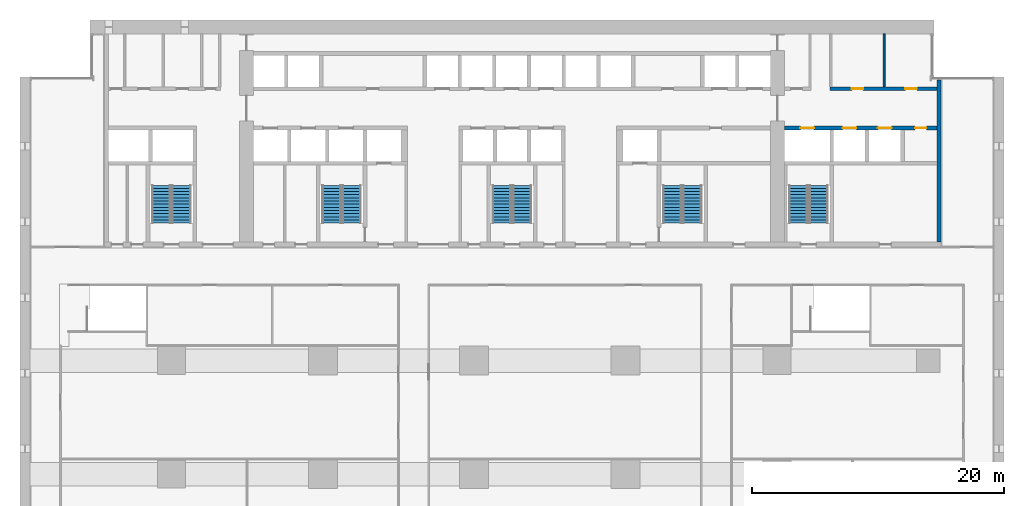
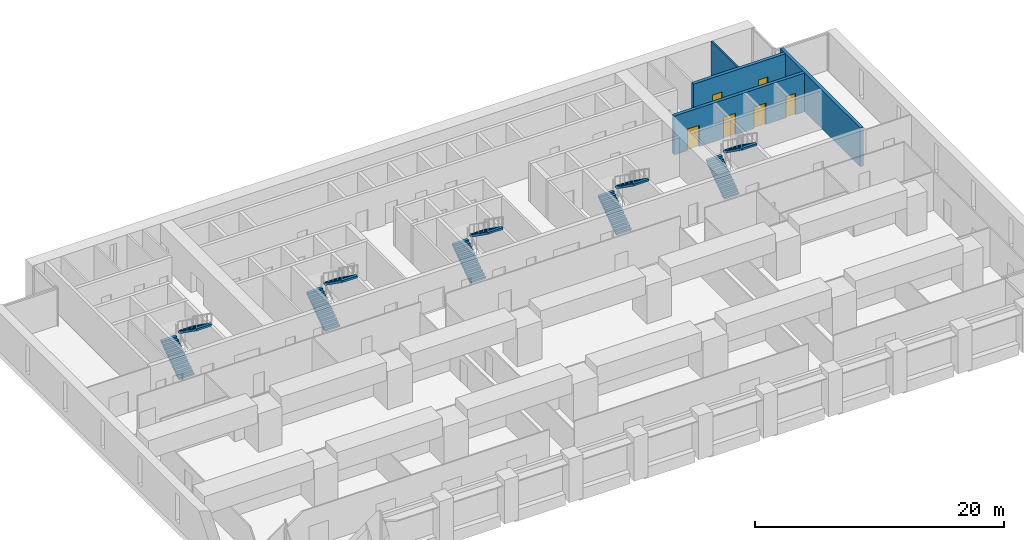
# One storey, part 13 of 17: 10 stair flights, 6 doors, 4 walls, 6 openings, 5 elements without a shape of their own.
"""IFC4 building model written with IfcOpenShell, lengths in metres."""

from ifc_helpers import new_model, si_unit, direction, frame, frame_2d, origin, place, context, subcontext, project, spatial, polyline, rectangle, outline, extrude, material, layer, layer_set, type_object, element, fill, aggregate, save


model = new_model("IFC4")

# Units and contexts
model_context = context("Model", 3, precision=1e-05, world=origin(), true_north=direction((0.0, 1.0)))
body_context = subcontext(model_context, "Body", "Model", "MODEL_VIEW")
ifc_project = project(units=[si_unit("LENGTHUNIT", "METRE"), si_unit("AREAUNIT", "SQUARE_METRE"), si_unit("VOLUMEUNIT", "CUBIC_METRE"), si_unit("PLANEANGLEUNIT", "RADIAN"), si_unit("MASSUNIT", "GRAM", prefix="KILO")], contexts=[model_context])

# Site, building, storey
site_placement = place(None, origin())
site = spatial("IfcSite", under=ifc_project, at=site_placement, CompositionType="ELEMENT")
building_placement = place(site_placement, origin())
building = spatial("IfcBuilding", under=site, at=building_placement, Name="Calvaro Tower", CompositionType="ELEMENT")
storey_placement = place(building_placement, frame((0.0, 0.0, 17.89990234375)))
storey = spatial("IfcBuildingStorey", under=building, at=storey_placement, Name="L03", CompositionType="ELEMENT", Elevation=17.89990234375)

# Wall
ifc_material_1 = material(Name="Blockwork partition", Category="masonry")
ifc_layer_1 = layer(ifc_material_1, 0.14990234375)
ifc_layer_set_1 = layer_set([ifc_layer_1], Name="Blockwork partition")
wall_type_1 = type_object("IfcWallType", Name="Core partition 150 REI 120", PredefinedType="PARTITIONING", material=ifc_layer_set_1)
wall_1_placement = place(storey_placement, frame((68.5, 40.699951171875, 0.0), z_axis=(0.0, 0.0, 1.0), x_axis=(0.0, 1.0, 0.0)))
element("IfcWall", 1, at=wall_1_placement, inside=storey, type_object=wall_type_1, Name="Core partition", PredefinedType="PARTITIONING", context=body_context, shape_type="SweptSolid", body=[
    extrude(rectangle(XDim=4.199951171875, YDim=0.14990234375, at=frame_2d((2.10009765625, 0.0))), origin(), (0.0, 0.0, 1.0), 3.800048828125),
])

# Wall, openings, doors
ifc_material_2 = material(Name="Blockwork partition", Category="masonry")
ifc_layer_2 = layer(ifc_material_2, 0.300048828125)
ifc_layer_set_2 = layer_set([ifc_layer_2], Name="Blockwork partition")
wall_type_2 = type_object("IfcWallType", Name="Core partition 300 REI 120", PredefinedType="PARTITIONING", material=ifc_layer_set_2)
wall_2_placement = place(storey_placement, frame((64.199951171875, 40.550048828125, 0.0), z_axis=(0.0, 0.0, 1.0), x_axis=(1.0, 0.0, 0.0)))
wall_2 = element("IfcWall", 2, at=wall_2_placement, inside=storey, type_object=wall_type_2, Name="Core partition", PredefinedType="PARTITIONING", context=body_context, shape_type="SweptSolid", body=[
    extrude(rectangle(XDim=8.5, YDim=0.300048828125, at=frame_2d((4.25, 0.0))), origin(), (0.0, 0.0, 1.0), 3.800048828125),
])
opening_1_placement = place(wall_2_placement, frame((1.737548828125, 0.0, 0.0)))
opening_1 = element("IfcOpeningElement", 3, at=opening_1_placement, cuts=wall_2, Name="Opening RD9C", PredefinedType="OPENING", context=body_context, shape_type="SweptSolid", body=[
    extrude(rectangle(XDim=0.89990234375, YDim=2.10009765625, at=frame_2d((0.449951171875, 1.050048828125))), frame((0.0, 0.159912109375, 0.0), z_axis=(0.0, -1.0, 0.0), x_axis=(1.0, 0.0, 0.0)), (0.0, 0.0, 1.0), 0.320068359375),
])
opening_2_placement = place(wall_2_placement, frame((5.987548828125, 0.0, 0.0)))
opening_2 = element("IfcOpeningElement", 4, at=opening_2_placement, cuts=wall_2, Name="Opening RD9E", PredefinedType="OPENING", context=body_context, shape_type="SweptSolid", body=[
    extrude(rectangle(XDim=0.89990234375, YDim=2.10009765625, at=frame_2d((0.449951171875, 1.050048828125))), frame((0.0, 0.159912109375, 0.0), z_axis=(0.0, -1.0, 0.0), x_axis=(1.0, 0.0, 0.0)), (0.0, 0.0, 1.0), 0.320068359375),
])
ifc_material_3 = material(Name="Steel door set", Category="steel")
door_type_1 = type_object("IfcDoorType", Name="Room door 900 FD30", OperationType="SINGLE_SWING_LEFT", PredefinedType="DOOR", material=ifc_material_3)
door_1_placement = place(opening_1_placement, origin())
door_1 = element("IfcDoor", 5, at=door_1_placement, inside=storey, type_object=door_type_1, Name="Room door", OperationType="SINGLE_SWING_RIGHT", OverallHeight=2.10009765625, OverallWidth=0.89990234375, PredefinedType="DOOR", context=body_context, shape_type="SweptSolid", body=[
    extrude(rectangle(XDim=0.89990234375, YDim=2.10009765625, at=frame_2d((0.449951171875, 1.050048828125))), frame((0.0, 0.02490234375, 0.0), z_axis=(0.0, -1.0, 0.0), x_axis=(1.0, 0.0, 0.0)), (0.0, 0.0, 1.0), 0.050048828125),
])
fill(opening_1, door_1)
ifc_material_4 = material(Name="Steel door set", Category="steel")
door_type_2 = type_object("IfcDoorType", Name="Room door 900 FD60", OperationType="SINGLE_SWING_LEFT", PredefinedType="DOOR", material=ifc_material_4)
door_2_placement = place(opening_2_placement, origin())
door_2 = element("IfcDoor", 6, at=door_2_placement, inside=storey, type_object=door_type_2, Name="Room door", OperationType="SINGLE_SWING_LEFT", OverallHeight=2.10009765625, OverallWidth=0.89990234375, PredefinedType="DOOR", context=body_context, shape_type="SweptSolid", body=[
    extrude(rectangle(XDim=0.89990234375, YDim=2.10009765625, at=frame_2d((0.449951171875, 1.050048828125))), frame((0.0, 0.02490234375, 0.0), z_axis=(0.0, -1.0, 0.0), x_axis=(1.0, 0.0, 0.0)), (0.0, 0.0, 1.0), 0.050048828125),
])
fill(opening_2, door_2)

# Wall
ifc_material_5 = material(Name="Concrete C80/95", Category="concrete")
ifc_layer_3 = layer(ifc_material_5, 0.300048828125)
ifc_layer_set_3 = layer_set([ifc_layer_3], Name="Concrete C80/95")
wall_type_3 = type_object("IfcWallType", Name="Core wall C80/95 300", PredefinedType="SHEAR", material=ifc_layer_set_3)
wall_3_placement = place(storey_placement, frame((72.85009765625, 28.39990234375, 0.0), z_axis=(0.0, 0.0, 1.0), x_axis=(0.0, 1.0, 0.0)))
element("IfcWall", 7, at=wall_3_placement, inside=storey, type_object=wall_type_3, Name="Core wall, boundary", PredefinedType="SHEAR", context=body_context, shape_type="SweptSolid", body=[
    extrude(rectangle(XDim=12.85009765625, YDim=0.300048828125, at=frame_2d((6.425048828125, 0.0))), origin(), (0.0, 0.0, 1.0), 3.800048828125),
])

# Wall, openings, doors
wall_4_placement = place(storey_placement, frame((72.699951171875, 37.449951171875, 0.0), z_axis=(0.0, 0.0, 1.0), x_axis=(-1.0, 0.0, 0.0)))
wall_4 = element("IfcWall", 8, at=wall_4_placement, inside=storey, type_object=wall_type_3, Name="Core wall, bay", PredefinedType="SHEAR", context=body_context, shape_type="SweptSolid", body=[
    extrude(rectangle(XDim=12.099853515625, YDim=0.300048828125, at=frame_2d((6.0498046875, 0.0))), origin(), (0.0, 0.0, 1.0), 3.800048828125),
])
opening_3_placement = place(wall_4_placement, frame((0.85009765625, 0.0, 0.0)))
opening_3 = element("IfcOpeningElement", 9, at=opening_3_placement, cuts=wall_4, Name="Opening RD9E", PredefinedType="OPENING", context=body_context, shape_type="SweptSolid", body=[
    extrude(rectangle(XDim=0.89990234375, YDim=2.10009765625, at=frame_2d((0.449951171875, 1.050048828125))), frame((0.0, 0.159912109375, 0.0), z_axis=(0.0, -1.0, 0.0), x_axis=(1.0, 0.0, 0.0)), (0.0, 0.0, 1.0), 0.320068359375),
])
opening_4_placement = place(wall_4_placement, frame((9.75, 0.0, 0.0)))
opening_4 = element("IfcOpeningElement", 10, at=opening_4_placement, cuts=wall_4, Name="Opening FF3", PredefinedType="OPENING", context=body_context, shape_type="SweptSolid", body=[
    extrude(rectangle(XDim=1.10009765625, YDim=2.10009765625, at=frame_2d((0.550048828125, 1.050048828125))), frame((0.0, 0.159912109375, 0.0), z_axis=(0.0, -1.0, 0.0), x_axis=(1.0, 0.0, 0.0)), (0.0, 0.0, 1.0), 0.320068359375),
])
opening_5_placement = place(wall_4_placement, frame((6.39990234375, 0.0, 0.0)))
opening_5 = element("IfcOpeningElement", 11, at=opening_5_placement, cuts=wall_4, Name="Opening PD1", PredefinedType="OPENING", context=body_context, shape_type="SweptSolid", body=[
    extrude(rectangle(XDim=1.10009765625, YDim=2.10009765625, at=frame_2d((0.550048828125, 1.050048828125))), frame((0.0, 0.159912109375, 0.0), z_axis=(0.0, -1.0, 0.0), x_axis=(1.0, 0.0, 0.0)), (0.0, 0.0, 1.0), 0.320068359375),
])
opening_6_placement = place(wall_4_placement, frame((3.60009765625, 0.0, 0.0)))
opening_6 = element("IfcOpeningElement", 12, at=opening_6_placement, cuts=wall_4, Name="Opening PD2", PredefinedType="OPENING", context=body_context, shape_type="SweptSolid", body=[
    extrude(rectangle(XDim=1.10009765625, YDim=2.10009765625, at=frame_2d((0.550048828125, 1.050048828125))), frame((0.0, 0.159912109375, 0.0), z_axis=(0.0, -1.0, 0.0), x_axis=(1.0, 0.0, 0.0)), (0.0, 0.0, 1.0), 0.320068359375),
])
ifc_material_6 = material(Name="Stainless steel", Category="steel")
door_type_3 = type_object("IfcDoorType", Name="Landing door 1100 E 60", OperationType="SLIDING_TO_LEFT", PredefinedType="DOOR", material=ifc_material_6)
door_3_placement = place(opening_4_placement, origin())
door_3 = element("IfcDoor", 13, at=door_3_placement, inside=storey, type_object=door_type_3, Name="Landing door FF3", OperationType="SLIDING_TO_LEFT", OverallHeight=2.10009765625, OverallWidth=1.10009765625, PredefinedType="DOOR", context=body_context, shape_type="SweptSolid", body=[
    extrude(rectangle(XDim=1.10009765625, YDim=2.10009765625, at=frame_2d((0.550048828125, 1.050048828125))), frame((0.0, 0.02490234375, 0.0), z_axis=(0.0, -1.0, 0.0), x_axis=(1.0, 0.0, 0.0)), (0.0, 0.0, 1.0), 0.050048828125),
])
fill(opening_4, door_3)
door_4_placement = place(opening_5_placement, origin())
door_4 = element("IfcDoor", 14, at=door_4_placement, inside=storey, type_object=door_type_3, Name="Landing door PD1", OperationType="SLIDING_TO_LEFT", OverallHeight=2.10009765625, OverallWidth=1.10009765625, PredefinedType="DOOR", context=body_context, shape_type="SweptSolid", body=[
    extrude(rectangle(XDim=1.10009765625, YDim=2.10009765625, at=frame_2d((0.550048828125, 1.050048828125))), frame((0.0, 0.02490234375, 0.0), z_axis=(0.0, -1.0, 0.0), x_axis=(1.0, 0.0, 0.0)), (0.0, 0.0, 1.0), 0.050048828125),
])
fill(opening_5, door_4)
door_5_placement = place(opening_6_placement, origin())
door_5 = element("IfcDoor", 15, at=door_5_placement, inside=storey, type_object=door_type_3, Name="Landing door PD2", OperationType="SLIDING_TO_LEFT", OverallHeight=2.10009765625, OverallWidth=1.10009765625, PredefinedType="DOOR", context=body_context, shape_type="SweptSolid", body=[
    extrude(rectangle(XDim=1.10009765625, YDim=2.10009765625, at=frame_2d((0.550048828125, 1.050048828125))), frame((0.0, 0.02490234375, 0.0), z_axis=(0.0, -1.0, 0.0), x_axis=(1.0, 0.0, 0.0)), (0.0, 0.0, 1.0), 0.050048828125),
])
fill(opening_6, door_5)
door_6_placement = place(opening_3_placement, origin())
door_6 = element("IfcDoor", 16, at=door_6_placement, inside=storey, type_object=door_type_2, Name="Room door", OperationType="SINGLE_SWING_LEFT", OverallHeight=2.10009765625, OverallWidth=0.89990234375, PredefinedType="DOOR", context=body_context, shape_type="SweptSolid", body=[
    extrude(rectangle(XDim=0.89990234375, YDim=2.10009765625, at=frame_2d((0.449951171875, 1.050048828125))), frame((0.0, 0.02490234375, 0.0), z_axis=(0.0, -1.0, 0.0), x_axis=(1.0, 0.0, 0.0)), (0.0, 0.0, 1.0), 0.050048828125),
])
fill(opening_3, door_6)

# Stair, stair flights
ifc_material_7 = material(Name="Concrete C40/50", Category="concrete")
stair_type = type_object("IfcStairType", Name="Exit stair 1400 2 flights", PredefinedType="HALF_TURN_STAIR", material=ifc_material_7)
stair_1_placement = place(storey_placement, origin())
stair_1 = element("IfcStair", 17, at=stair_1_placement, inside=storey, type_object=stair_type, Name="Exit stair S1", PredefinedType="HALF_TURN_STAIR")
ifc_material_8 = material(Name="Concrete C40/50", Category="concrete")
stair_flight_type = type_object("IfcStairFlightType", Name="Stair flight", PredefinedType="STRAIGHT", material=ifc_material_8)
stair_flight_1_placement = place(storey_placement, frame((11.199951171875, 29.89990234375, 0.0), z_axis=(0.0, 0.0, 1.0), x_axis=(0.0, 1.0, 0.0)))
stair_flight_1 = element("IfcStairFlight", 18, at=stair_flight_1_placement, type_object=stair_flight_type, Name="Exit stair 1, flight 1", NumberOfRisers=13, NumberOfTreads=12, PredefinedType="STRAIGHT", RiserHeight=0.176923077, TreadLength=0.25, context=body_context, shape_type="SweptSolid", body=[
    extrude(outline(polyline([(0.0, 0.0), (0.0, 0.177001953125), (0.25, 0.177001953125), (0.25, 0.353759765625), (0.5, 0.353759765625), (0.5, 0.53076171875), (0.75, 0.53076171875), (0.75, 0.707763671875), (1.0, 0.707763671875), (1.0, 0.884521484375), (1.25, 0.884521484375), (1.25, 1.0615234375), (1.5, 1.0615234375), (1.5, 1.238525390625), (1.75, 1.238525390625), (1.75, 1.415283203125), (2.0, 1.415283203125), (2.0, 1.59228515625), (2.25, 1.59228515625), (2.25, 1.769287109375), (2.5, 1.769287109375), (2.5, 1.946044921875), (2.75, 1.946044921875), (2.75, 2.123046875), (3.0, 2.123046875), (3.0, 2.300048828125), (3.0, 1.939453125), (0.259521484375, 0.0), (0.0, 0.0)])), frame((0.0, 0.699951171875, 0.0), z_axis=(0.0, -1.0, 0.0), x_axis=(1.0, 0.0, 0.0)), (0.0, 0.0, 1.0), 1.39990234375),
])
stair_flight_2_placement = place(storey_placement, frame((12.800048828125, 32.89990234375, 2.300048828125), z_axis=(0.0, 0.0, 1.0), x_axis=(0.0, -1.0, 0.0)))
stair_flight_2 = element("IfcStairFlight", 19, at=stair_flight_2_placement, type_object=stair_flight_type, Name="Exit stair 1, flight 2", NumberOfRisers=13, NumberOfTreads=12, PredefinedType="STRAIGHT", RiserHeight=0.176923077, TreadLength=0.25, context=body_context, shape_type="SweptSolid", body=[
    extrude(outline(polyline([(0.0, 0.0), (0.0, 0.177001953125), (0.25, 0.177001953125), (0.25, 0.353759765625), (0.5, 0.353759765625), (0.5, 0.53076171875), (0.75, 0.53076171875), (0.75, 0.707763671875), (1.0, 0.707763671875), (1.0, 0.884521484375), (1.25, 0.884521484375), (1.25, 1.0615234375), (1.5, 1.0615234375), (1.5, 1.238525390625), (1.75, 1.238525390625), (1.75, 1.415283203125), (2.0, 1.415283203125), (2.0, 1.59228515625), (2.25, 1.59228515625), (2.25, 1.769287109375), (2.5, 1.769287109375), (2.5, 1.946044921875), (2.75, 1.946044921875), (2.75, 2.123046875), (3.0, 2.123046875), (3.0, 2.300048828125), (3.0, 1.939453125), (0.259521484375, 0.0), (0.0, 0.0)])), frame((0.0, 0.699951171875, 0.0), z_axis=(0.0, -1.0, 0.0), x_axis=(1.0, 0.0, 0.0)), (0.0, 0.0, 1.0), 1.39990234375),
])
aggregate(stair_1, [stair_flight_1, stair_flight_2])

stair_2_placement = place(storey_placement, origin())
stair_2 = element("IfcStair", 20, at=stair_2_placement, inside=storey, type_object=stair_type, Name="Exit stair S2", PredefinedType="HALF_TURN_STAIR")
stair_flight_3_placement = place(storey_placement, frame((24.699951171875, 29.89990234375, 0.0), z_axis=(0.0, 0.0, 1.0), x_axis=(0.0, 1.0, 0.0)))
stair_flight_3 = element("IfcStairFlight", 21, at=stair_flight_3_placement, type_object=stair_flight_type, Name="Exit stair 2, flight 1", NumberOfRisers=13, NumberOfTreads=12, PredefinedType="STRAIGHT", RiserHeight=0.176923077, TreadLength=0.25, context=body_context, shape_type="SweptSolid", body=[
    extrude(outline(polyline([(0.0, 0.0), (0.0, 0.177001953125), (0.25, 0.177001953125), (0.25, 0.353759765625), (0.5, 0.353759765625), (0.5, 0.53076171875), (0.75, 0.53076171875), (0.75, 0.707763671875), (1.0, 0.707763671875), (1.0, 0.884521484375), (1.25, 0.884521484375), (1.25, 1.0615234375), (1.5, 1.0615234375), (1.5, 1.238525390625), (1.75, 1.238525390625), (1.75, 1.415283203125), (2.0, 1.415283203125), (2.0, 1.59228515625), (2.25, 1.59228515625), (2.25, 1.769287109375), (2.5, 1.769287109375), (2.5, 1.946044921875), (2.75, 1.946044921875), (2.75, 2.123046875), (3.0, 2.123046875), (3.0, 2.300048828125), (3.0, 1.939453125), (0.259521484375, 0.0), (0.0, 0.0)])), frame((0.0, 0.699951171875, 0.0), z_axis=(0.0, -1.0, 0.0), x_axis=(1.0, 0.0, 0.0)), (0.0, 0.0, 1.0), 1.39990234375),
])
stair_flight_4_placement = place(storey_placement, frame((26.300048828125, 32.89990234375, 2.300048828125), z_axis=(0.0, 0.0, 1.0), x_axis=(0.0, -1.0, 0.0)))
stair_flight_4 = element("IfcStairFlight", 22, at=stair_flight_4_placement, type_object=stair_flight_type, Name="Exit stair 2, flight 2", NumberOfRisers=13, NumberOfTreads=12, PredefinedType="STRAIGHT", RiserHeight=0.176923077, TreadLength=0.25, context=body_context, shape_type="SweptSolid", body=[
    extrude(outline(polyline([(0.0, 0.0), (0.0, 0.177001953125), (0.25, 0.177001953125), (0.25, 0.353759765625), (0.5, 0.353759765625), (0.5, 0.53076171875), (0.75, 0.53076171875), (0.75, 0.707763671875), (1.0, 0.707763671875), (1.0, 0.884521484375), (1.25, 0.884521484375), (1.25, 1.0615234375), (1.5, 1.0615234375), (1.5, 1.238525390625), (1.75, 1.238525390625), (1.75, 1.415283203125), (2.0, 1.415283203125), (2.0, 1.59228515625), (2.25, 1.59228515625), (2.25, 1.769287109375), (2.5, 1.769287109375), (2.5, 1.946044921875), (2.75, 1.946044921875), (2.75, 2.123046875), (3.0, 2.123046875), (3.0, 2.300048828125), (3.0, 1.939453125), (0.259521484375, 0.0), (0.0, 0.0)])), frame((0.0, 0.699951171875, 0.0), z_axis=(0.0, -1.0, 0.0), x_axis=(1.0, 0.0, 0.0)), (0.0, 0.0, 1.0), 1.39990234375),
])
aggregate(stair_2, [stair_flight_3, stair_flight_4])

stair_3_placement = place(storey_placement, origin())
stair_3 = element("IfcStair", 23, at=stair_3_placement, inside=storey, type_object=stair_type, Name="Exit stair S3", PredefinedType="HALF_TURN_STAIR")
stair_flight_5_placement = place(storey_placement, frame((38.199951171875, 29.89990234375, 0.0), z_axis=(0.0, 0.0, 1.0), x_axis=(0.0, 1.0, 0.0)))
stair_flight_5 = element("IfcStairFlight", 24, at=stair_flight_5_placement, type_object=stair_flight_type, Name="Exit stair 3, flight 1", NumberOfRisers=13, NumberOfTreads=12, PredefinedType="STRAIGHT", RiserHeight=0.176923077, TreadLength=0.25, context=body_context, shape_type="SweptSolid", body=[
    extrude(outline(polyline([(0.0, 0.0), (0.0, 0.177001953125), (0.25, 0.177001953125), (0.25, 0.353759765625), (0.5, 0.353759765625), (0.5, 0.53076171875), (0.75, 0.53076171875), (0.75, 0.707763671875), (1.0, 0.707763671875), (1.0, 0.884521484375), (1.25, 0.884521484375), (1.25, 1.0615234375), (1.5, 1.0615234375), (1.5, 1.238525390625), (1.75, 1.238525390625), (1.75, 1.415283203125), (2.0, 1.415283203125), (2.0, 1.59228515625), (2.25, 1.59228515625), (2.25, 1.769287109375), (2.5, 1.769287109375), (2.5, 1.946044921875), (2.75, 1.946044921875), (2.75, 2.123046875), (3.0, 2.123046875), (3.0, 2.300048828125), (3.0, 1.939453125), (0.259521484375, 0.0), (0.0, 0.0)])), frame((0.0, 0.699951171875, 0.0), z_axis=(0.0, -1.0, 0.0), x_axis=(1.0, 0.0, 0.0)), (0.0, 0.0, 1.0), 1.39990234375),
])
stair_flight_6_placement = place(storey_placement, frame((39.800048828125, 32.89990234375, 2.300048828125), z_axis=(0.0, 0.0, 1.0), x_axis=(0.0, -1.0, 0.0)))
stair_flight_6 = element("IfcStairFlight", 25, at=stair_flight_6_placement, type_object=stair_flight_type, Name="Exit stair 3, flight 2", NumberOfRisers=13, NumberOfTreads=12, PredefinedType="STRAIGHT", RiserHeight=0.176923077, TreadLength=0.25, context=body_context, shape_type="SweptSolid", body=[
    extrude(outline(polyline([(0.0, 0.0), (0.0, 0.177001953125), (0.25, 0.177001953125), (0.25, 0.353759765625), (0.5, 0.353759765625), (0.5, 0.53076171875), (0.75, 0.53076171875), (0.75, 0.707763671875), (1.0, 0.707763671875), (1.0, 0.884521484375), (1.25, 0.884521484375), (1.25, 1.0615234375), (1.5, 1.0615234375), (1.5, 1.238525390625), (1.75, 1.238525390625), (1.75, 1.415283203125), (2.0, 1.415283203125), (2.0, 1.59228515625), (2.25, 1.59228515625), (2.25, 1.769287109375), (2.5, 1.769287109375), (2.5, 1.946044921875), (2.75, 1.946044921875), (2.75, 2.123046875), (3.0, 2.123046875), (3.0, 2.300048828125), (3.0, 1.939453125), (0.259521484375, 0.0), (0.0, 0.0)])), frame((0.0, 0.699951171875, 0.0), z_axis=(0.0, -1.0, 0.0), x_axis=(1.0, 0.0, 0.0)), (0.0, 0.0, 1.0), 1.39990234375),
])
aggregate(stair_3, [stair_flight_5, stair_flight_6])

stair_4_placement = place(storey_placement, origin())
stair_4 = element("IfcStair", 26, at=stair_4_placement, inside=storey, type_object=stair_type, Name="Exit stair S4", PredefinedType="HALF_TURN_STAIR")
stair_flight_7_placement = place(storey_placement, frame((51.699951171875, 29.89990234375, 0.0), z_axis=(0.0, 0.0, 1.0), x_axis=(0.0, 1.0, 0.0)))
stair_flight_7 = element("IfcStairFlight", 27, at=stair_flight_7_placement, type_object=stair_flight_type, Name="Exit stair 4, flight 1", NumberOfRisers=13, NumberOfTreads=12, PredefinedType="STRAIGHT", RiserHeight=0.176923077, TreadLength=0.25, context=body_context, shape_type="SweptSolid", body=[
    extrude(outline(polyline([(0.0, 0.0), (0.0, 0.177001953125), (0.25, 0.177001953125), (0.25, 0.353759765625), (0.5, 0.353759765625), (0.5, 0.53076171875), (0.75, 0.53076171875), (0.75, 0.707763671875), (1.0, 0.707763671875), (1.0, 0.884521484375), (1.25, 0.884521484375), (1.25, 1.0615234375), (1.5, 1.0615234375), (1.5, 1.238525390625), (1.75, 1.238525390625), (1.75, 1.415283203125), (2.0, 1.415283203125), (2.0, 1.59228515625), (2.25, 1.59228515625), (2.25, 1.769287109375), (2.5, 1.769287109375), (2.5, 1.946044921875), (2.75, 1.946044921875), (2.75, 2.123046875), (3.0, 2.123046875), (3.0, 2.300048828125), (3.0, 1.939453125), (0.259521484375, 0.0), (0.0, 0.0)])), frame((0.0, 0.699951171875, 0.0), z_axis=(0.0, -1.0, 0.0), x_axis=(1.0, 0.0, 0.0)), (0.0, 0.0, 1.0), 1.39990234375),
])
stair_flight_8_placement = place(storey_placement, frame((53.300048828125, 32.89990234375, 2.300048828125), z_axis=(0.0, 0.0, 1.0), x_axis=(0.0, -1.0, 0.0)))
stair_flight_8 = element("IfcStairFlight", 28, at=stair_flight_8_placement, type_object=stair_flight_type, Name="Exit stair 4, flight 2", NumberOfRisers=13, NumberOfTreads=12, PredefinedType="STRAIGHT", RiserHeight=0.176923077, TreadLength=0.25, context=body_context, shape_type="SweptSolid", body=[
    extrude(outline(polyline([(0.0, 0.0), (0.0, 0.177001953125), (0.25, 0.177001953125), (0.25, 0.353759765625), (0.5, 0.353759765625), (0.5, 0.53076171875), (0.75, 0.53076171875), (0.75, 0.707763671875), (1.0, 0.707763671875), (1.0, 0.884521484375), (1.25, 0.884521484375), (1.25, 1.0615234375), (1.5, 1.0615234375), (1.5, 1.238525390625), (1.75, 1.238525390625), (1.75, 1.415283203125), (2.0, 1.415283203125), (2.0, 1.59228515625), (2.25, 1.59228515625), (2.25, 1.769287109375), (2.5, 1.769287109375), (2.5, 1.946044921875), (2.75, 1.946044921875), (2.75, 2.123046875), (3.0, 2.123046875), (3.0, 2.300048828125), (3.0, 1.939453125), (0.259521484375, 0.0), (0.0, 0.0)])), frame((0.0, 0.699951171875, 0.0), z_axis=(0.0, -1.0, 0.0), x_axis=(1.0, 0.0, 0.0)), (0.0, 0.0, 1.0), 1.39990234375),
])
aggregate(stair_4, [stair_flight_7, stair_flight_8])

stair_5_placement = place(storey_placement, origin())
stair_5 = element("IfcStair", 29, at=stair_5_placement, inside=storey, type_object=stair_type, Name="Exit stair S5", PredefinedType="HALF_TURN_STAIR")
stair_flight_9_placement = place(storey_placement, frame((61.699951171875, 29.89990234375, 0.0), z_axis=(0.0, 0.0, 1.0), x_axis=(0.0, 1.0, 0.0)))
stair_flight_9 = element("IfcStairFlight", 30, at=stair_flight_9_placement, type_object=stair_flight_type, Name="Exit stair 5, flight 1", NumberOfRisers=13, NumberOfTreads=12, PredefinedType="STRAIGHT", RiserHeight=0.176923077, TreadLength=0.25, context=body_context, shape_type="SweptSolid", body=[
    extrude(outline(polyline([(0.0, 0.0), (0.0, 0.177001953125), (0.25, 0.177001953125), (0.25, 0.353759765625), (0.5, 0.353759765625), (0.5, 0.53076171875), (0.75, 0.53076171875), (0.75, 0.707763671875), (1.0, 0.707763671875), (1.0, 0.884521484375), (1.25, 0.884521484375), (1.25, 1.0615234375), (1.5, 1.0615234375), (1.5, 1.238525390625), (1.75, 1.238525390625), (1.75, 1.415283203125), (2.0, 1.415283203125), (2.0, 1.59228515625), (2.25, 1.59228515625), (2.25, 1.769287109375), (2.5, 1.769287109375), (2.5, 1.946044921875), (2.75, 1.946044921875), (2.75, 2.123046875), (3.0, 2.123046875), (3.0, 2.300048828125), (3.0, 1.939453125), (0.259521484375, 0.0), (0.0, 0.0)])), frame((0.0, 0.699951171875, 0.0), z_axis=(0.0, -1.0, 0.0), x_axis=(1.0, 0.0, 0.0)), (0.0, 0.0, 1.0), 1.39990234375),
])
stair_flight_10_placement = place(storey_placement, frame((63.300048828125, 32.89990234375, 2.300048828125), z_axis=(0.0, 0.0, 1.0), x_axis=(0.0, -1.0, 0.0)))
stair_flight_10 = element("IfcStairFlight", 31, at=stair_flight_10_placement, type_object=stair_flight_type, Name="Exit stair 5, flight 2", NumberOfRisers=13, NumberOfTreads=12, PredefinedType="STRAIGHT", RiserHeight=0.176923077, TreadLength=0.25, context=body_context, shape_type="SweptSolid", body=[
    extrude(outline(polyline([(0.0, 0.0), (0.0, 0.177001953125), (0.25, 0.177001953125), (0.25, 0.353759765625), (0.5, 0.353759765625), (0.5, 0.53076171875), (0.75, 0.53076171875), (0.75, 0.707763671875), (1.0, 0.707763671875), (1.0, 0.884521484375), (1.25, 0.884521484375), (1.25, 1.0615234375), (1.5, 1.0615234375), (1.5, 1.238525390625), (1.75, 1.238525390625), (1.75, 1.415283203125), (2.0, 1.415283203125), (2.0, 1.59228515625), (2.25, 1.59228515625), (2.25, 1.769287109375), (2.5, 1.769287109375), (2.5, 1.946044921875), (2.75, 1.946044921875), (2.75, 2.123046875), (3.0, 2.123046875), (3.0, 2.300048828125), (3.0, 1.939453125), (0.259521484375, 0.0), (0.0, 0.0)])), frame((0.0, 0.699951171875, 0.0), z_axis=(0.0, -1.0, 0.0), x_axis=(1.0, 0.0, 0.0)), (0.0, 0.0, 1.0), 1.39990234375),
])
aggregate(stair_5, [stair_flight_9, stair_flight_10])

save(model, "model.ifc")
